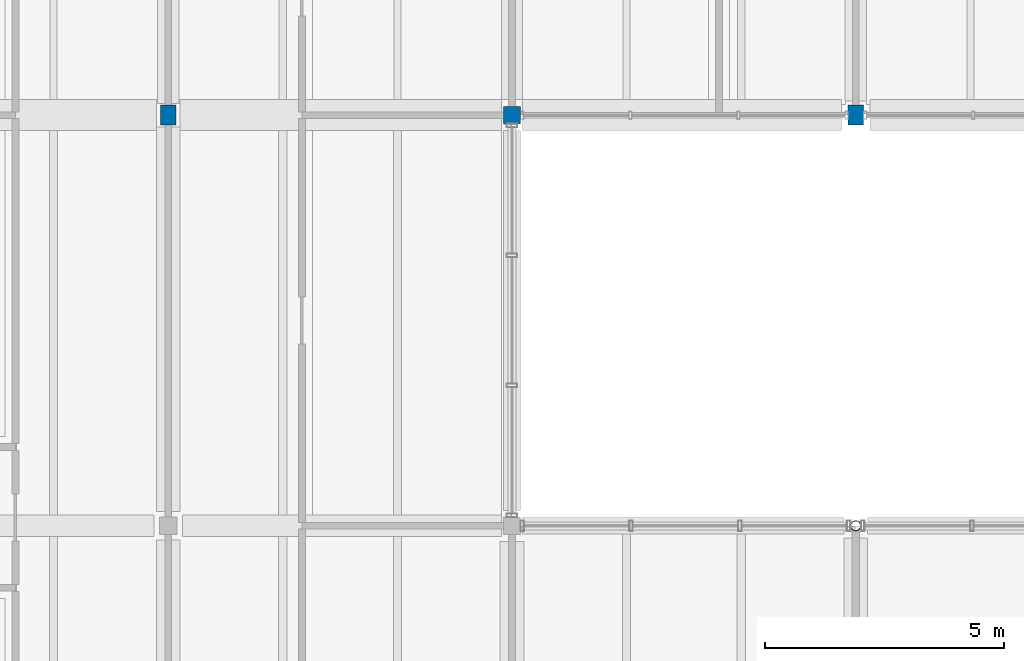
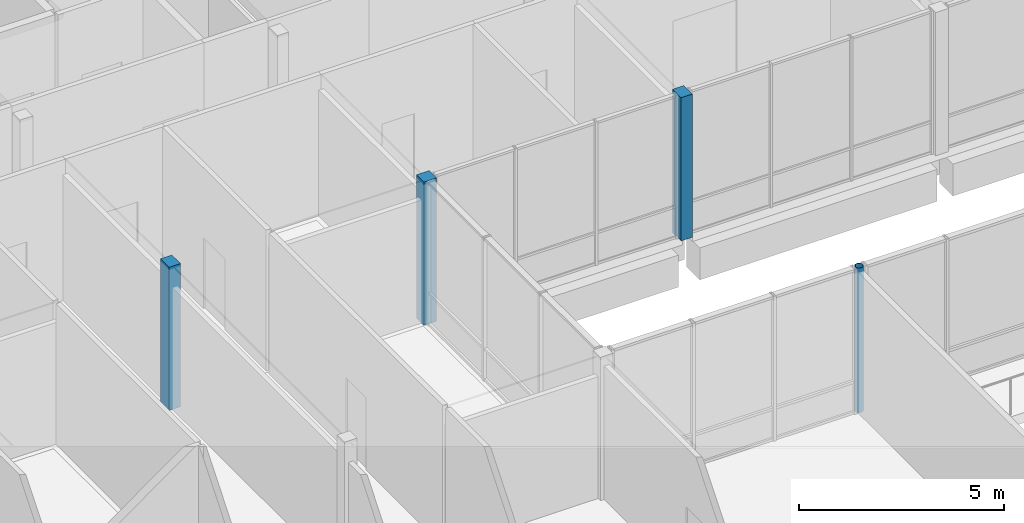
# One storey, part 6 of 146: 4 columns.
"""IFC4 building model written with IfcOpenShell, lengths in metres."""

from ifc_helpers import new_model, si_unit, direction, frame, origin, origin_2d, place, context, subcontext, project, spatial, rectangle, hollow_circle, extrude, material, material_profile, profile_set, type_object, element, save


model = new_model("IFC4")

# Units and contexts
model_context = context("Model", 3, precision=1e-05, world=origin(), true_north=direction((0.0, 1.0)))
body_context = subcontext(model_context, "Body", "Model", "MODEL_VIEW")
ifc_project = project(units=[si_unit("LENGTHUNIT", "METRE"), si_unit("AREAUNIT", "SQUARE_METRE"), si_unit("VOLUMEUNIT", "CUBIC_METRE"), si_unit("PLANEANGLEUNIT", "RADIAN"), si_unit("MASSUNIT", "GRAM", prefix="KILO")], contexts=[model_context])

# Site, building, storey
site_placement = place(None, origin())
site = spatial("IfcSite", under=ifc_project, at=site_placement, CompositionType="ELEMENT")
building_placement = place(site_placement, origin())
building = spatial("IfcBuilding", under=site, at=building_placement, Name="Hawrajan Terrace Health Centre", CompositionType="ELEMENT")
storey_placement = place(building_placement, frame((0.0, 0.0, 4.5)))
storey = spatial("IfcBuildingStorey", under=building, at=storey_placement, Name="L01", CompositionType="ELEMENT", Elevation=4.5)

# Columns
ifc_material_1 = material(Name="Glulam GL32h", Category="wood")
ifc_material_profile_1 = material_profile(ifc_material_1, rectangle(XDim=0.320068359375, YDim=0.419921875, at=origin_2d()), Name="GL 320x420")
ifc_profile_set_1 = profile_set([ifc_material_profile_1], Name="Glulam GL32h")
column_type_1 = type_object("IfcColumnType", Name="GlulamCol_320x420", PredefinedType="COLUMN", material=ifc_profile_set_1)
for number, where, z_axis, x_axis, name in (
    (1, (19.0, 45.39990234375, 0.0), (0.0, 0.0, 1.0), (1.0, 0.0, 0.0), "Column COL-L01-W-X03-Y6"),
    (2, (33.39990234375, 45.39990234375, 0.0), (0.0, 0.0, 1.0), (1.0, 0.0, 0.0), "Column COL-L01-W-X05-Y6"),
):
    element("IfcColumn", number, at=place(storey_placement, frame(where, z_axis=z_axis, x_axis=x_axis)), inside=storey, type_object=column_type_1, Name=name, PredefinedType="COLUMN", context=body_context, shape_type="SweptSolid", body=[
        extrude(rectangle(XDim=0.320068359375, YDim=0.419921875, at=origin_2d()), origin(), (0.0, 0.0, 1.0), 4.260009765625),
    ])
ifc_material_profile_2 = material_profile(ifc_material_1, rectangle(XDim=0.360107421875, YDim=0.360107421875, at=origin_2d()), Name="GL 360x360")
ifc_profile_set_2 = profile_set([ifc_material_profile_2], Name="Glulam GL32h")
column_type_2 = type_object("IfcColumnType", Name="GlulamCol_360x360", PredefinedType="COLUMN", material=ifc_profile_set_2)
column_1_placement = place(storey_placement, frame((26.199951171875, 45.39990234375, 0.0), z_axis=(0.0, 0.0, 1.0), x_axis=(1.0, 0.0, 0.0)))
element("IfcColumn", 3, at=column_1_placement, inside=storey, type_object=column_type_2, Name="Column COL-L01-W-X04-Y6", PredefinedType="COLUMN", context=body_context, shape_type="SweptSolid", body=[
    extrude(rectangle(XDim=0.360107421875, YDim=0.360107421875, at=origin_2d()), origin(), (0.0, 0.0, 1.0), 4.260009765625),
])
ifc_material_2 = material(Name="Steel S355", Category="steel")
ifc_material_profile_3 = material_profile(ifc_material_2, hollow_circle(Radius=0.109619140625, WallThickness=0.010009765625, at=origin_2d()), Name="CHS 219.1x10.0")
ifc_profile_set_3 = profile_set([ifc_material_profile_3], Name="Steel S355")
column_type_3 = type_object("IfcColumnType", Name="SteelCol_CHS219", PredefinedType="COLUMN", material=ifc_profile_set_3)
column_2_placement = place(storey_placement, frame((33.39990234375, 36.800048828125, 0.0), z_axis=(0.0, 0.0, 1.0), x_axis=(1.0, 0.0, 0.0)))
element("IfcColumn", 4, at=column_2_placement, inside=storey, type_object=column_type_3, Name="Column COL-L01-W-X05-Y5", PredefinedType="COLUMN", context=body_context, shape_type="SweptSolid", body=[
    extrude(hollow_circle(Radius=0.109619140625, WallThickness=0.010009765625, at=origin_2d()), origin(), (0.0, 0.0, 1.0), 4.300048828125),
])

save(model, "model.ifc")
